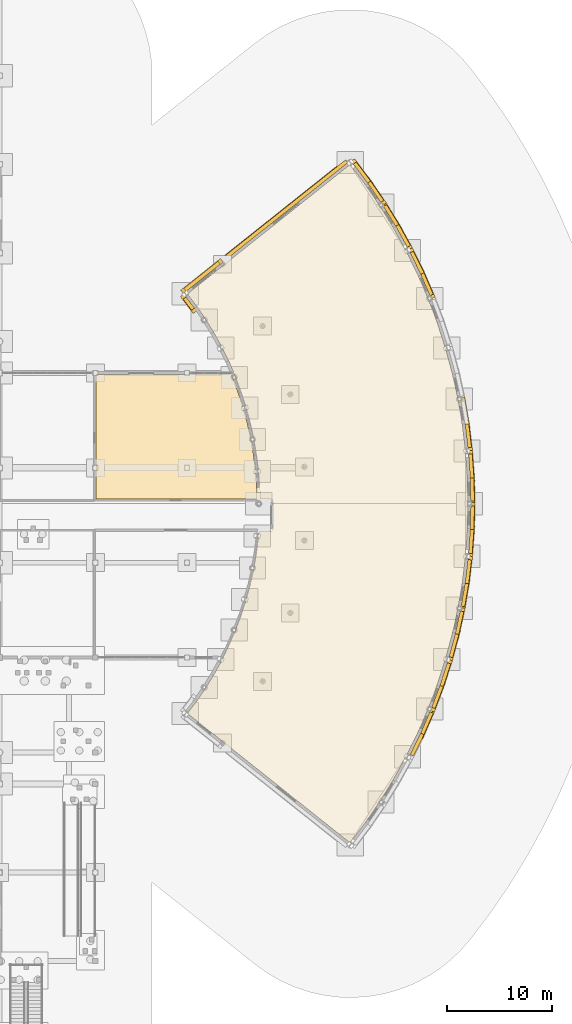
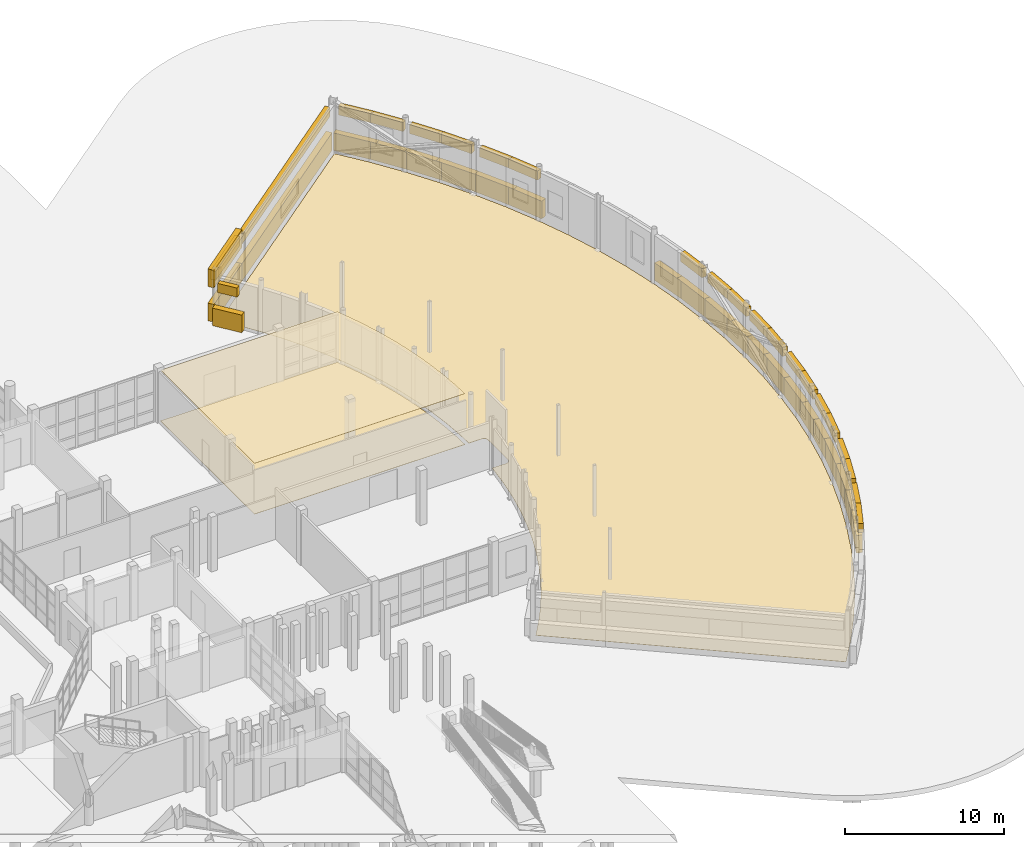
# One storey, part 86 of 88: 26 coverings, 22 shading devices.
"""IFC4 building model written with IfcOpenShell, lengths in metres."""

from ifc_helpers import new_model, si_unit, direction, frame, origin, origin_2d, place, context, subcontext, project, spatial, polyline, rectangle, outline, extrude, material, layer, layer_set, type_object, element, save


model = new_model("IFC4")

# Units and contexts
model_context = context("Model", 3, precision=1e-05, world=origin(), true_north=direction((0.0, 1.0)))
body_context = subcontext(model_context, "Body", "Model", "MODEL_VIEW")
ifc_project = project(units=[si_unit("LENGTHUNIT", "METRE"), si_unit("AREAUNIT", "SQUARE_METRE"), si_unit("VOLUMEUNIT", "CUBIC_METRE"), si_unit("PLANEANGLEUNIT", "RADIAN"), si_unit("MASSUNIT", "GRAM", prefix="KILO")], contexts=[model_context])

# Site, building, storey
site_placement = place(None, origin())
site = spatial("IfcSite", under=ifc_project, at=site_placement, CompositionType="ELEMENT")
building_placement = place(site_placement, origin())
building = spatial("IfcBuilding", under=site, at=building_placement, Name="Vanh Quang Courtyard School", CompositionType="ELEMENT")
storey_placement = place(building_placement, origin())
storey = spatial("IfcBuildingStorey", under=building, at=storey_placement, Name="L00", CompositionType="ELEMENT", Elevation=0.0)

# Coverings
ifc_material_1 = material(Name="Perforated mineral-fibre acoustic ceiling board")
ifc_layer_1 = layer(ifc_material_1, 0.02490234375)
ifc_layer_set_1 = layer_set([ifc_layer_1], Name="Perforated mineral-fibre acoustic ceiling board")
covering_type_1 = type_object("IfcCoveringType", Name="COV-CEIL-ACOUSTIC", PredefinedType="CEILING", material=ifc_layer_set_1)
covering_1_placement = place(storey_placement, frame((0.0, 0.0, 3.89501953125)))
element("IfcCovering", 1, at=covering_1_placement, inside=storey, type_object=covering_type_1, Name="Covering CV-CL1 (L00)", PredefinedType="CEILING", context=body_context, shape_type="SweptSolid", body=[
    extrude(outline(polyline([(128.56005859375, 56.449951171875), (128.55908203125, 56.449951171875), (128.55810546875, 56.4501953125), (128.55712890625, 56.450439453125), (128.55615234375, 56.45068359375), (128.555419921875, 56.451171875), (128.554443359375, 56.45166015625), (128.5537109375, 56.452392578125), (128.552978515625, 56.452880859375), (128.55224609375, 56.45361328125), (128.5517578125, 56.454345703125), (128.55126953125, 56.455322265625), (128.55078125, 56.456298828125), (128.55029296875, 56.45703125), (128.55029296875, 56.4580078125), (128.550048828125, 56.458984375), (128.550048828125, 56.4599609375), (128.550048828125, 68.260009765625), (128.550048828125, 68.260986328125), (128.55029296875, 68.261962890625), (128.55029296875, 68.262939453125), (128.55078125, 68.263916015625), (128.55126953125, 68.2646484375), (128.5517578125, 68.265625), (128.55224609375, 68.266357421875), (128.552978515625, 68.26708984375), (128.5537109375, 68.267578125), (128.554443359375, 68.268310546875), (128.555419921875, 68.268798828125), (128.55615234375, 68.269287109375), (128.55712890625, 68.26953125), (128.55810546875, 68.269775390625), (128.55908203125, 68.27001953125), (128.56005859375, 68.27001953125), (141.377685546875, 68.27001953125), (141.378662109375, 68.27001953125), (141.37939453125, 68.269775390625), (141.380615234375, 68.26953125), (141.38134765625, 68.269287109375), (141.38232421875, 68.268798828125), (141.383056640625, 68.268310546875), (141.3837890625, 68.267822265625), (141.384521484375, 68.26708984375), (141.38525390625, 68.266357421875), (141.3857421875, 68.265625), (141.386474609375, 68.264892578125), (141.38671875, 68.263916015625), (141.531982421875, 67.92822265625), (141.531982421875, 67.927734375), (142.070068359375, 66.497802734375), (142.0703125, 66.497314453125), (142.537109375, 65.04931640625), (142.537353515625, 65.048828125), (142.93798828125, 63.567138671875), (142.93798828125, 63.566650390625), (143.265380859375, 62.07421875), (143.265380859375, 62.07373046875), (143.519775390625, 60.57373046875), (143.519775390625, 60.5732421875), (143.70361328125, 59.049560546875), (143.70361328125, 59.049072265625), (143.81298828125, 57.531494140625), (143.81298828125, 57.531005859375), (143.8388671875, 56.460205078125), (143.8388671875, 56.459228515625), (143.838623046875, 56.458251953125), (143.83837890625, 56.457275390625), (143.838134765625, 56.456298828125), (143.837890625, 56.455322265625), (143.83740234375, 56.45458984375), (143.836669921875, 56.453857421875), (143.836181640625, 56.452880859375), (143.835205078125, 56.452392578125), (143.83447265625, 56.45166015625), (143.833740234375, 56.451171875), (143.832763671875, 56.45068359375), (143.831787109375, 56.450439453125), (143.830810546875, 56.4501953125), (143.829833984375, 56.449951171875), (143.828857421875, 56.449951171875), (128.56005859375, 56.449951171875)])), origin(), (0.0, 0.0, 1.0), 0.02490234375),
])
ifc_material_2 = material(Name="White precast concrete C40/50", Category="concrete")
ifc_layer_2 = layer(ifc_material_2, 0.419921875)
ifc_layer_set_2 = layer_set([ifc_layer_2], Name="White precast concrete C40/50")
covering_type_2 = type_object("IfcCoveringType", Name="COV-CLAD-WHITE", PredefinedType="CLADDING", material=ifc_layer_set_2)
covering_2_placement = place(storey_placement, frame((137.348388671875, 74.970947265625, 0.044921875), z_axis=(0.0, 0.0, 1.0), x_axis=(-0.603486360302, 0.797373320929, 0.0)))
element("IfcCovering", 2, at=covering_2_placement, inside=storey, type_object=covering_type_2, Name="Covering CL-01 (L00)", PredefinedType="CLADDING", context=body_context, shape_type="SweptSolid", body=[
    extrude(rectangle(XDim=2.00927734375, YDim=0.419921875, at=origin_2d()), origin(), (0.0, 0.0, 1.0), 1.35009765625),
])
for number, where, z_axis, x_axis, name in (
    (3, (138.614501953125, 77.591796875, 0.044921875), (0.0, 0.0, 1.0), (0.782608156852, 0.622514636638, 0.0), "Covering CL-01 (L00)"),
    (4, (138.614501953125, 77.591796875, 2.675048828125), (0.0, 0.0, 1.0), (0.782608156852, 0.622514636638, 0.0), "Covering CL-01 (L00)"),
):
    element("IfcCovering", number, at=place(storey_placement, frame(where, z_axis=z_axis, x_axis=x_axis)), inside=storey, type_object=covering_type_2, Name=name, PredefinedType="CLADDING", context=body_context, shape_type="SweptSolid", body=[
        extrude(rectangle(XDim=4.823974609375, YDim=0.419921875, at=origin_2d()), origin(), (0.0, 0.0, 1.0), 1.35009765625),
    ])
covering_3_placement = place(storey_placement, frame((146.4091796875, 83.7919921875, 0.044921875), z_axis=(0.0, 0.0, 1.0), x_axis=(0.782608156852, 0.622514636638, 0.0)))
element("IfcCovering", 5, at=covering_3_placement, inside=storey, type_object=covering_type_2, Name="Covering CL-01 (L00)", PredefinedType="CLADDING", context=body_context, shape_type="SweptSolid", body=[
    extrude(rectangle(XDim=15.82421875, YDim=0.419921875, at=origin_2d()), origin(), (0.0, 0.0, 1.0), 1.35009765625),
])
covering_4_placement = place(storey_placement, frame((153.822509765625, 87.428955078125, 0.044921875), z_axis=(0.0, 0.0, 1.0), x_axis=(0.603486360302, -0.797373320929, 0.0)))
element("IfcCovering", 6, at=covering_4_placement, inside=storey, type_object=covering_type_2, Name="Covering CL-01 (L00)", PredefinedType="CLADDING", context=body_context, shape_type="SweptSolid", body=[
    extrude(rectangle(XDim=2.94921875, YDim=0.419921875, at=origin_2d()), origin(), (0.0, 0.0, 1.0), 1.35009765625),
])
for number, where, z_axis, x_axis, name in (
    (7, (155.09521484375, 85.659423828125, 0.044921875), (0.0, 0.0, 1.0), (0.564678950066, -0.825310658693, 0.0), "Covering CL-01 (L00)"),
    (8, (156.623779296875, 83.305908203125, 0.044921875), (0.0, 0.0, 1.0), (0.524283182828, -0.851543976671, 0.0), "Covering CL-01 (L00)"),
):
    element("IfcCovering", number, at=place(storey_placement, frame(where, z_axis=z_axis, x_axis=x_axis)), inside=storey, type_object=covering_type_2, Name=name, PredefinedType="CLADDING", context=body_context, shape_type="SweptSolid", body=[
        extrude(rectangle(XDim=3.019775390625, YDim=0.419921875, at=origin_2d()), origin(), (0.0, 0.0, 1.0), 1.35009765625),
    ])
covering_5_placement = place(storey_placement, frame((157.722412109375, 81.42333984375, 0.044921875), z_axis=(0.0, 0.0, 1.0), x_axis=(0.482976759048, -0.875633171036, 0.0)))
element("IfcCovering", 9, at=covering_5_placement, inside=storey, type_object=covering_type_2, Name="Covering CL-01 (L00)", PredefinedType="CLADDING", context=body_context, shape_type="SweptSolid", body=[
    extrude(rectangle(XDim=2.94921875, YDim=0.419921875, at=origin_2d()), origin(), (0.0, 0.0, 1.0), 1.35009765625),
])
covering_6_placement = place(storey_placement, frame((159.05078125, 78.871337890625, 0.044921875), z_axis=(0.0, 0.0, 1.0), x_axis=(0.440252613806, -0.897873953312, 0.0)))
element("IfcCovering", 10, at=covering_6_placement, inside=storey, type_object=covering_type_2, Name="Covering CL-01 (L00)", PredefinedType="CLADDING", context=body_context, shape_type="SweptSolid", body=[
    extrude(rectangle(XDim=2.948974609375, YDim=0.419921875, at=origin_2d()), origin(), (0.0, 0.0, 1.0), 1.35009765625),
])
covering_7_placement = place(storey_placement, frame((159.962646484375, 76.8916015625, 0.044921875), z_axis=(0.0, 0.0, 1.0), x_axis=(0.396827509647, -0.917893200535, 0.0)))
element("IfcCovering", 11, at=covering_7_placement, inside=storey, type_object=covering_type_2, Name="Covering CL-01 (L00)", PredefinedType="CLADDING", context=body_context, shape_type="SweptSolid", body=[
    extrude(rectangle(XDim=3.019775390625, YDim=0.419921875, at=origin_2d()), origin(), (0.0, 0.0, 1.0), 1.35009765625),
])
covering_8_placement = place(storey_placement, frame((163.603515625, 64.601318359375, 0.044921875), z_axis=(0.0, 0.0, 1.0), x_axis=(0.16728499015, -0.985908582005, 0.0)))
element("IfcCovering", 12, at=covering_8_placement, inside=storey, type_object=covering_type_2, Name="Covering CL-01 (L00)", PredefinedType="CLADDING", context=body_context, shape_type="SweptSolid", body=[
    extrude(rectangle(XDim=3.02001953125, YDim=0.419921875, at=origin_2d()), origin(), (0.0, 0.0, 1.0), 1.35009765625),
])
for number, where, z_axis, x_axis, name in (
    (13, (163.9169921875, 62.444091796875, 0.044921875), (0.0, 0.0, 1.0), (0.119617015862, -0.992820109343, 0.0), "Covering CL-01 (L00)"),
    (14, (164.192626953125, 59.580322265625, 0.044921875), (0.0, 0.0, 1.0), (0.071845612485, -0.997415764848, 0.0), "Covering CL-01 (L00)"),
):
    element("IfcCovering", number, at=place(storey_placement, frame(where, z_axis=z_axis, x_axis=x_axis)), inside=storey, type_object=covering_type_2, Name=name, PredefinedType="CLADDING", context=body_context, shape_type="SweptSolid", body=[
        extrude(rectangle(XDim=2.948974609375, YDim=0.419921875, at=origin_2d()), origin(), (0.0, 0.0, 1.0), 1.35009765625),
    ])
for number, where, z_axis, x_axis, name in (
    (15, (164.29638671875, 57.4033203125, 0.044921875), (0.0, 0.0, 1.0), (0.024083215021, -0.999709957315, 0.0), "Covering CL-01 (L00)"),
    (16, (164.29638671875, 54.5966796875, 0.044921875), (0.0, 0.0, 1.0), (-0.024083215021, -0.999709957315, 0.0), "Covering CL-01 (L00)"),
):
    element("IfcCovering", number, at=place(storey_placement, frame(where, z_axis=z_axis, x_axis=x_axis)), inside=storey, type_object=covering_type_2, Name=name, PredefinedType="CLADDING", context=body_context, shape_type="SweptSolid", body=[
        extrude(rectangle(XDim=3.02001953125, YDim=0.419921875, at=origin_2d()), origin(), (0.0, 0.0, 1.0), 1.35009765625),
    ])
for number, where, z_axis, x_axis, name in (
    (17, (164.192626953125, 52.419677734375, 0.044921875), (0.0, 0.0, 1.0), (-0.071845612485, -0.997415764848, 0.0), "Covering CL-01 (L00)"),
    (18, (163.9169921875, 49.555908203125, 0.044921875), (0.0, 0.0, 1.0), (-0.119617015862, -0.992820109343, 0.0), "Covering CL-01 (L00)"),
):
    element("IfcCovering", number, at=place(storey_placement, frame(where, z_axis=z_axis, x_axis=x_axis)), inside=storey, type_object=covering_type_2, Name=name, PredefinedType="CLADDING", context=body_context, shape_type="SweptSolid", body=[
        extrude(rectangle(XDim=2.948974609375, YDim=0.419921875, at=origin_2d()), origin(), (0.0, 0.0, 1.0), 1.35009765625),
    ])
covering_9_placement = place(storey_placement, frame((163.603515625, 47.398681640625, 0.044921875), z_axis=(0.0, 0.0, 1.0), x_axis=(-0.16728499015, -0.985908582005, 0.0)))
element("IfcCovering", 19, at=covering_9_placement, inside=storey, type_object=covering_type_2, Name="Covering CL-01 (L00)", PredefinedType="CLADDING", context=body_context, shape_type="SweptSolid", body=[
    extrude(rectangle(XDim=3.02001953125, YDim=0.419921875, at=origin_2d()), origin(), (0.0, 0.0, 1.0), 1.35009765625),
])
covering_10_placement = place(storey_placement, frame((163.06787109375, 44.643798828125, 0.044921875), z_axis=(0.0, 0.0, 1.0), x_axis=(-0.214223913346, -0.976784579603, 0.0)))
element("IfcCovering", 20, at=covering_10_placement, inside=storey, type_object=covering_type_2, Name="Covering CL-01 (L00)", PredefinedType="CLADDING", context=body_context, shape_type="SweptSolid", body=[
    extrude(rectangle(XDim=3.019775390625, YDim=0.419921875, at=origin_2d()), origin(), (0.0, 0.0, 1.0), 1.35009765625),
])
for number, where, z_axis, x_axis, name in (
    (21, (162.550537109375, 42.526611328125, 0.044921875), (0.0, 0.0, 1.0), (-0.261009993198, -0.965336098699, 0.0), "Covering CL-01 (L00)"),
    (22, (161.7333984375, 39.76806640625, 0.044921875), (0.0, 0.0, 1.0), (-0.307024429971, -0.951701633602, 0.0), "Covering CL-01 (L00)"),
):
    element("IfcCovering", number, at=place(storey_placement, frame(where, z_axis=z_axis, x_axis=x_axis)), inside=storey, type_object=covering_type_2, Name=name, PredefinedType="CLADDING", context=body_context, shape_type="SweptSolid", body=[
        extrude(rectangle(XDim=2.948974609375, YDim=0.419921875, at=origin_2d()), origin(), (0.0, 0.0, 1.0), 1.35009765625),
    ])
for number, where, z_axis, x_axis, name in (
    (23, (161.01416015625, 37.71044921875, 0.044921875), (0.0, 0.0, 1.0), (-0.352168373381, -0.935936662809, 0.0), "Covering CL-01 (L00)"),
    (24, (159.962646484375, 35.1083984375, 0.044921875), (0.0, 0.0, 1.0), (-0.396827509647, -0.917893200535, 0.0), "Covering CL-01 (L00)"),
):
    element("IfcCovering", number, at=place(storey_placement, frame(where, z_axis=z_axis, x_axis=x_axis)), inside=storey, type_object=covering_type_2, Name=name, PredefinedType="CLADDING", context=body_context, shape_type="SweptSolid", body=[
        extrude(rectangle(XDim=3.019775390625, YDim=0.419921875, at=origin_2d()), origin(), (0.0, 0.0, 1.0), 1.35009765625),
    ])
ifc_material_3 = material(Name="Polished cementitious terrazzo tile", Category="concrete")
ifc_layer_3 = layer(ifc_material_3, 0.02001953125)
ifc_layer_set_3 = layer_set([ifc_layer_3], Name="Polished cementitious terrazzo tile")
covering_type_3 = type_object("IfcCoveringType", Name="COV-FLR-TERRAZZO", PredefinedType="FLOORING", material=ifc_layer_set_3)
covering_11_placement = place(storey_placement, origin())
element("IfcCovering", 25, at=covering_11_placement, inside=storey, type_object=covering_type_3, Name="Covering CV-FL1 (L00)", PredefinedType="FLOORING", context=body_context, shape_type="SweptSolid", body=[
    extrude(outline(polyline([(139.756591796875, 72.183349609375), (138.944580078125, 73.501953125), (138.077880859375, 74.769287109375), (137.2294921875, 75.889892578125), (137.22900390625, 75.890869140625), (137.228515625, 75.8916015625), (137.228271484375, 75.892578125), (137.227783203125, 75.893310546875), (137.227783203125, 75.894287109375), (137.2275390625, 75.895263671875), (137.2275390625, 75.896240234375), (137.227783203125, 75.897216796875), (137.227783203125, 75.898193359375), (137.22802734375, 75.899169921875), (137.228515625, 75.89990234375), (137.22900390625, 75.90087890625), (137.2294921875, 75.901611328125), (137.22998046875, 75.902587890625), (137.230712890625, 75.9033203125), (137.2314453125, 75.90380859375), (152.664306640625, 88.1796875), (152.6650390625, 88.180419921875), (152.666015625, 88.180908203125), (152.6669921875, 88.181396484375), (152.667724609375, 88.181640625), (152.668701171875, 88.181884765625), (152.669921875, 88.181884765625), (152.6708984375, 88.181884765625), (152.671875, 88.181884765625), (152.672607421875, 88.181640625), (152.673583984375, 88.181396484375), (152.674560546875, 88.18115234375), (152.675537109375, 88.1806640625), (152.67626953125, 88.18017578125), (152.677001953125, 88.179443359375), (152.677734375, 88.1787109375), (152.678466796875, 88.177978515625), (154.09619140625, 86.30517578125), (154.096435546875, 86.3046875), (155.501708984375, 84.25048828125), (155.501953125, 84.25), (156.806884765625, 82.130859375), (156.80712890625, 82.130615234375), (158.00927734375, 79.950927734375), (158.009521484375, 79.95068359375), (159.105224609375, 77.716064453125), (159.10546875, 77.7158203125), (160.093017578125, 75.430908203125), (160.09326171875, 75.430419921875), (160.9697265625, 73.101318359375), (160.969970703125, 73.100830078125), (161.73388671875, 70.732177734375), (161.73388671875, 70.731689453125), (162.383544921875, 68.3291015625), (162.383544921875, 68.32861328125), (162.9169921875, 65.8974609375), (162.9169921875, 65.897216796875), (163.333251953125, 63.443115234375), (163.333251953125, 63.442626953125), (163.631103515625, 60.9716796875), (163.631103515625, 60.97119140625), (163.810302734375, 58.489013671875), (163.810302734375, 58.48828125), (163.8701171875, 56.000244140625), (163.8701171875, 55.999755859375), (163.810302734375, 53.51171875), (163.810302734375, 53.510986328125), (163.631103515625, 51.02880859375), (163.631103515625, 51.0283203125), (163.333251953125, 48.557373046875), (163.333251953125, 48.556884765625), (162.9169921875, 46.102783203125), (162.9169921875, 46.1025390625), (162.383544921875, 43.67138671875), (162.383544921875, 43.6708984375), (161.73388671875, 41.268310546875), (161.73388671875, 41.267822265625), (160.969970703125, 38.899169921875), (160.9697265625, 38.898681640625), (160.09326171875, 36.569580078125), (160.093017578125, 36.569091796875), (159.10546875, 34.2841796875), (159.105224609375, 34.283935546875), (158.009521484375, 32.04931640625), (158.00927734375, 32.049072265625), (156.80712890625, 29.869384765625), (156.806884765625, 29.869140625), (155.501953125, 27.75), (155.501708984375, 27.74951171875), (154.096435546875, 25.6953125), (154.09619140625, 25.69482421875), (152.678466796875, 23.822021484375), (152.677734375, 23.8212890625), (152.677001953125, 23.820556640625), (152.67626953125, 23.81982421875), (152.675537109375, 23.8193359375), (152.674560546875, 23.81884765625), (152.673583984375, 23.818603515625), (152.672607421875, 23.818359375), (152.671875, 23.818115234375), (152.6708984375, 23.818115234375), (152.669921875, 23.818115234375), (152.668701171875, 23.818115234375), (152.667724609375, 23.818359375), (152.6669921875, 23.818603515625), (152.666015625, 23.819091796875), (152.6650390625, 23.819580078125), (152.664306640625, 23.8203125), (137.2314453125, 36.09619140625), (137.230712890625, 36.0966796875), (137.22998046875, 36.097412109375), (137.2294921875, 36.098388671875), (137.22900390625, 36.09912109375), (137.228515625, 36.10009765625), (137.22802734375, 36.100830078125), (137.227783203125, 36.101806640625), (137.227783203125, 36.102783203125), (137.2275390625, 36.103759765625), (137.2275390625, 36.104736328125), (137.227783203125, 36.105712890625), (137.227783203125, 36.106689453125), (137.228271484375, 36.107421875), (137.228515625, 36.1083984375), (137.22900390625, 36.109130859375), (137.2294921875, 36.110107421875), (138.077880859375, 37.230712890625), (138.944580078125, 38.498046875), (139.756591796875, 39.816650390625), (140.501220703125, 41.1669921875), (141.17724609375, 42.54541015625), (141.79150390625, 43.967041015625), (142.334716796875, 45.41015625), (142.805908203125, 46.871337890625), (143.2099609375, 48.366455078125), (143.540283203125, 49.87255859375), (143.796875, 51.38623046875), (143.981689453125, 52.9169921875), (144.012451171875, 53.3408203125), (144.012451171875, 53.341796875), (144.0126953125, 53.3427734375), (144.01318359375, 53.343505859375), (144.013427734375, 53.344482421875), (144.013916015625, 53.345458984375), (144.0146484375, 53.34619140625), (144.01513671875, 53.346923828125), (144.01611328125, 53.34765625), (144.016845703125, 53.348388671875), (144.017578125, 53.348876953125), (144.0185546875, 53.34912109375), (144.019287109375, 53.349609375), (144.0205078125, 53.349853515625), (144.021484375, 53.35009765625), (144.0224609375, 53.35009765625), (145.059326171875, 53.35009765625), (145.122802734375, 53.357177734375), (145.202392578125, 53.3876953125), (145.27978515625, 53.451171875), (145.3251953125, 53.52294921875), (145.34912109375, 53.61865234375), (145.35009765625, 56.159423828125), (145.343017578125, 56.22314453125), (145.3251953125, 56.27685546875), (145.2880859375, 56.338623046875), (145.23876953125, 56.38818359375), (145.177001953125, 56.42529296875), (145.1103515625, 56.4453125), (144.12890625, 56.449951171875), (144.1279296875, 56.4501953125), (144.126953125, 56.4501953125), (144.126220703125, 56.450439453125), (144.125244140625, 56.45068359375), (144.124267578125, 56.451171875), (144.12353515625, 56.45166015625), (144.122802734375, 56.4521484375), (144.1220703125, 56.452880859375), (144.121337890625, 56.45361328125), (144.120849609375, 56.454345703125), (144.120361328125, 56.455078125), (144.119873046875, 56.4560546875), (144.119384765625, 56.456787109375), (144.119140625, 56.457763671875), (144.119140625, 56.458740234375), (144.118896484375, 56.459716796875), (144.0927734375, 57.544921875), (143.982421875, 59.076171875), (143.796875, 60.61376953125), (143.540283203125, 62.12744140625), (143.2099609375, 63.633544921875), (142.805908203125, 65.128662109375), (142.334716796875, 66.58984375), (141.79150390625, 68.032958984375), (141.179931640625, 69.448486328125), (140.501220703125, 70.8330078125), (139.756591796875, 72.183349609375)])), origin(), (0.0, 0.0, 1.0), 0.02001953125),
])
covering_12_placement = place(storey_placement, origin())
element("IfcCovering", 26, at=covering_12_placement, inside=storey, type_object=covering_type_3, Name="Covering CV-FL1 (L00)", PredefinedType="FLOORING", context=body_context, shape_type="SweptSolid", body=[
    extrude(outline(polyline([(128.56005859375, 56.449951171875), (128.55908203125, 56.449951171875), (128.55810546875, 56.4501953125), (128.55712890625, 56.450439453125), (128.55615234375, 56.45068359375), (128.555419921875, 56.451171875), (128.554443359375, 56.45166015625), (128.5537109375, 56.452392578125), (128.552978515625, 56.452880859375), (128.55224609375, 56.45361328125), (128.5517578125, 56.454345703125), (128.55126953125, 56.455322265625), (128.55078125, 56.456298828125), (128.55029296875, 56.45703125), (128.55029296875, 56.4580078125), (128.550048828125, 56.458984375), (128.550048828125, 56.4599609375), (128.550048828125, 68.260009765625), (128.550048828125, 68.260986328125), (128.55029296875, 68.261962890625), (128.55029296875, 68.262939453125), (128.55078125, 68.263916015625), (128.55126953125, 68.2646484375), (128.5517578125, 68.265625), (128.55224609375, 68.266357421875), (128.552978515625, 68.26708984375), (128.5537109375, 68.267578125), (128.554443359375, 68.268310546875), (128.555419921875, 68.268798828125), (128.55615234375, 68.269287109375), (128.55712890625, 68.26953125), (128.55810546875, 68.269775390625), (128.55908203125, 68.27001953125), (128.56005859375, 68.27001953125), (141.377685546875, 68.27001953125), (141.378662109375, 68.27001953125), (141.37939453125, 68.269775390625), (141.380615234375, 68.26953125), (141.38134765625, 68.269287109375), (141.38232421875, 68.268798828125), (141.383056640625, 68.268310546875), (141.3837890625, 68.267822265625), (141.384521484375, 68.26708984375), (141.38525390625, 68.266357421875), (141.3857421875, 68.265625), (141.386474609375, 68.264892578125), (141.38671875, 68.263916015625), (141.531982421875, 67.92822265625), (141.531982421875, 67.927734375), (142.070068359375, 66.497802734375), (142.0703125, 66.497314453125), (142.537109375, 65.04931640625), (142.537353515625, 65.048828125), (142.93798828125, 63.567138671875), (142.93798828125, 63.566650390625), (143.265380859375, 62.07421875), (143.265380859375, 62.07373046875), (143.519775390625, 60.57373046875), (143.519775390625, 60.5732421875), (143.70361328125, 59.049560546875), (143.70361328125, 59.049072265625), (143.81298828125, 57.531494140625), (143.81298828125, 57.531005859375), (143.8388671875, 56.460205078125), (143.8388671875, 56.459228515625), (143.838623046875, 56.458251953125), (143.83837890625, 56.457275390625), (143.838134765625, 56.456298828125), (143.837890625, 56.455322265625), (143.83740234375, 56.45458984375), (143.836669921875, 56.453857421875), (143.836181640625, 56.452880859375), (143.835205078125, 56.452392578125), (143.83447265625, 56.45166015625), (143.833740234375, 56.451171875), (143.832763671875, 56.45068359375), (143.831787109375, 56.450439453125), (143.830810546875, 56.4501953125), (143.829833984375, 56.449951171875), (143.828857421875, 56.449951171875), (128.56005859375, 56.449951171875)])), origin(), (0.0, 0.0, 1.0), 0.02001953125),
])

# Shading devices
ifc_material_4 = material(Name="Anodised aluminium storm louvre", Category="aluminium")
shading_device_type = type_object("IfcShadingDeviceType", Name="SHD-LOUVRE-STORM", PredefinedType="JALOUSIE", material=ifc_material_4)
shading_device_1_placement = place(storey_placement, frame((137.368408203125, 74.986083984375, 2.64013671875), z_axis=(0.0, 0.0, 1.0), x_axis=(-0.603486360302, 0.797373320929, 0.0)))
element("IfcShadingDevice", 27, at=shading_device_1_placement, inside=storey, type_object=shading_device_type, Name="Solar Shading SH-01 (L00)", PredefinedType="JALOUSIE", context=body_context, shape_type="SweptSolid", body=[
    extrude(rectangle(XDim=1.329345703125, YDim=0.35009765625, at=origin_2d()), origin(), (0.0, 0.0, 1.0), 0.699951171875),
])
shading_device_2_placement = place(storey_placement, frame((138.630126953125, 77.572265625, 3.02001953125), z_axis=(0.0, 0.0, 1.0), x_axis=(0.782608156852, 0.622514636638, 0.0)))
element("IfcShadingDevice", 28, at=shading_device_2_placement, inside=storey, type_object=shading_device_type, Name="Solar Shading SH-01 (L00)", PredefinedType="JALOUSIE", context=body_context, shape_type="SweptSolid", body=[
    extrude(rectangle(XDim=4.14404296875, YDim=0.35009765625, at=origin_2d()), origin(), (0.0, 0.0, 1.0), 0.699951171875),
])
shading_device_3_placement = place(storey_placement, frame((146.4248046875, 83.7724609375, 2.85986328125), z_axis=(0.0, 0.0, 1.0), x_axis=(0.782608156852, 0.622514636638, 0.0)))
element("IfcShadingDevice", 29, at=shading_device_3_placement, inside=storey, type_object=shading_device_type, Name="Solar Shading SH-01 (L00)", PredefinedType="JALOUSIE", context=body_context, shape_type="SweptSolid", body=[
    extrude(rectangle(XDim=15.14404296875, YDim=0.35009765625, at=origin_2d()), origin(), (0.0, 0.0, 1.0), 0.699951171875),
])
shading_device_4_placement = place(storey_placement, frame((153.802490234375, 87.413818359375, 2.85986328125), z_axis=(0.0, 0.0, 1.0), x_axis=(0.603486360302, -0.797373320929, 0.0)))
element("IfcShadingDevice", 30, at=shading_device_4_placement, inside=storey, type_object=shading_device_type, Name="Solar Shading SH-01 (L00)", PredefinedType="JALOUSIE", context=body_context, shape_type="SweptSolid", body=[
    extrude(rectangle(XDim=2.26904296875, YDim=0.35009765625, at=origin_2d()), origin(), (0.0, 0.0, 1.0), 0.699951171875),
])
shading_device_5_placement = place(storey_placement, frame((155.074462890625, 85.6455078125, 2.85986328125), z_axis=(0.0, 0.0, 1.0), x_axis=(0.564678950066, -0.825310658693, 0.0)))
element("IfcShadingDevice", 31, at=shading_device_5_placement, inside=storey, type_object=shading_device_type, Name="Solar Shading SH-01 (L00)", PredefinedType="JALOUSIE", context=body_context, shape_type="SweptSolid", body=[
    extrude(rectangle(XDim=2.33984375, YDim=0.35009765625, at=origin_2d()), origin(), (0.0, 0.0, 1.0), 0.699951171875),
])
shading_device_6_placement = place(storey_placement, frame((156.602294921875, 83.292724609375, 2.85986328125), z_axis=(0.0, 0.0, 1.0), x_axis=(0.524283182828, -0.851543976671, 0.0)))
element("IfcShadingDevice", 32, at=shading_device_6_placement, inside=storey, type_object=shading_device_type, Name="Solar Shading SH-01 (L00)", PredefinedType="JALOUSIE", context=body_context, shape_type="SweptSolid", body=[
    extrude(rectangle(XDim=2.339599609375, YDim=0.35009765625, at=origin_2d()), origin(), (0.0, 0.0, 1.0), 0.699951171875),
])
for number, where, z_axis, x_axis, name in (
    (33, (157.70068359375, 81.411376953125, 2.85986328125), (0.0, 0.0, 1.0), (0.482976759048, -0.875633171036, 0.0), "Solar Shading SH-01 (L00)"),
    (34, (159.028564453125, 78.8603515625, 2.85986328125), (0.0, 0.0, 1.0), (0.440252613806, -0.897873953312, 0.0), "Solar Shading SH-01 (L00)"),
):
    element("IfcShadingDevice", number, at=place(storey_placement, frame(where, z_axis=z_axis, x_axis=x_axis)), inside=storey, type_object=shading_device_type, Name=name, PredefinedType="JALOUSIE", context=body_context, shape_type="SweptSolid", body=[
        extrude(rectangle(XDim=2.26904296875, YDim=0.35009765625, at=origin_2d()), origin(), (0.0, 0.0, 1.0), 0.699951171875),
    ])
shading_device_7_placement = place(storey_placement, frame((159.939697265625, 76.881591796875, 2.85986328125), z_axis=(0.0, 0.0, 1.0), x_axis=(0.396827509647, -0.917893200535, 0.0)))
element("IfcShadingDevice", 35, at=shading_device_7_placement, inside=storey, type_object=shading_device_type, Name="Solar Shading SH-01 (L00)", PredefinedType="JALOUSIE", context=body_context, shape_type="SweptSolid", body=[
    extrude(rectangle(XDim=2.33984375, YDim=0.35009765625, at=origin_2d()), origin(), (0.0, 0.0, 1.0), 0.699951171875),
])
for number, where, z_axis, x_axis, name in (
    (36, (163.89208984375, 62.441162109375, 2.85986328125), (0.0, 0.0, 1.0), (0.119617015862, -0.992820109343, 0.0), "Solar Shading SH-01 (L00)"),
    (37, (164.167724609375, 59.57861328125, 2.85986328125), (0.0, 0.0, 1.0), (0.071845612485, -0.997415764848, 0.0), "Solar Shading SH-01 (L00)"),
):
    element("IfcShadingDevice", number, at=place(storey_placement, frame(where, z_axis=z_axis, x_axis=x_axis)), inside=storey, type_object=shading_device_type, Name=name, PredefinedType="JALOUSIE", context=body_context, shape_type="SweptSolid", body=[
        extrude(rectangle(XDim=2.26904296875, YDim=0.35009765625, at=origin_2d()), origin(), (0.0, 0.0, 1.0), 0.699951171875),
    ])
for number, where, z_axis, x_axis, name in (
    (38, (164.271484375, 57.402587890625, 2.85986328125), (0.0, 0.0, 1.0), (0.024083215021, -0.999709957315, 0.0), "Solar Shading SH-01 (L00)"),
    (39, (164.271484375, 54.597412109375, 2.85986328125), (0.0, 0.0, 1.0), (-0.024083215021, -0.999709957315, 0.0), "Solar Shading SH-01 (L00)"),
):
    element("IfcShadingDevice", number, at=place(storey_placement, frame(where, z_axis=z_axis, x_axis=x_axis)), inside=storey, type_object=shading_device_type, Name=name, PredefinedType="JALOUSIE", context=body_context, shape_type="SweptSolid", body=[
        extrude(rectangle(XDim=2.33984375, YDim=0.35009765625, at=origin_2d()), origin(), (0.0, 0.0, 1.0), 0.699951171875),
    ])
for number, where, z_axis, x_axis, name in (
    (40, (164.167724609375, 52.42138671875, 2.85986328125), (0.0, 0.0, 1.0), (-0.071845612485, -0.997415764848, 0.0), "Solar Shading SH-01 (L00)"),
    (41, (163.89208984375, 49.558837890625, 2.85986328125), (0.0, 0.0, 1.0), (-0.119617015862, -0.992820109343, 0.0), "Solar Shading SH-01 (L00)"),
):
    element("IfcShadingDevice", number, at=place(storey_placement, frame(where, z_axis=z_axis, x_axis=x_axis)), inside=storey, type_object=shading_device_type, Name=name, PredefinedType="JALOUSIE", context=body_context, shape_type="SweptSolid", body=[
        extrude(rectangle(XDim=2.26904296875, YDim=0.35009765625, at=origin_2d()), origin(), (0.0, 0.0, 1.0), 0.699951171875),
    ])
for number, where, z_axis, x_axis, name in (
    (42, (163.57861328125, 47.403076171875, 2.85986328125), (0.0, 0.0, 1.0), (-0.16728499015, -0.985908582005, 0.0), "Solar Shading SH-01 (L00)"),
    (43, (163.04345703125, 44.6494140625, 2.85986328125), (0.0, 0.0, 1.0), (-0.214223913346, -0.976784579603, 0.0), "Solar Shading SH-01 (L00)"),
):
    element("IfcShadingDevice", number, at=place(storey_placement, frame(where, z_axis=z_axis, x_axis=x_axis)), inside=storey, type_object=shading_device_type, Name=name, PredefinedType="JALOUSIE", context=body_context, shape_type="SweptSolid", body=[
        extrude(rectangle(XDim=2.33984375, YDim=0.35009765625, at=origin_2d()), origin(), (0.0, 0.0, 1.0), 0.699951171875),
    ])
for number, where, z_axis, x_axis, name in (
    (44, (162.5263671875, 42.533203125, 2.85986328125), (0.0, 0.0, 1.0), (-0.261009993198, -0.965336098699, 0.0), "Solar Shading SH-01 (L00)"),
    (45, (161.709716796875, 39.775634765625, 2.85986328125), (0.0, 0.0, 1.0), (-0.307024429971, -0.951701633602, 0.0), "Solar Shading SH-01 (L00)"),
):
    element("IfcShadingDevice", number, at=place(storey_placement, frame(where, z_axis=z_axis, x_axis=x_axis)), inside=storey, type_object=shading_device_type, Name=name, PredefinedType="JALOUSIE", context=body_context, shape_type="SweptSolid", body=[
        extrude(rectangle(XDim=2.26904296875, YDim=0.35009765625, at=origin_2d()), origin(), (0.0, 0.0, 1.0), 0.699951171875),
    ])
for number, where, z_axis, x_axis, name in (
    (46, (160.99072265625, 37.71923828125, 2.85986328125), (0.0, 0.0, 1.0), (-0.352168373381, -0.935936662809, 0.0), "Solar Shading SH-01 (L00)"),
    (47, (159.939697265625, 35.118408203125, 2.85986328125), (0.0, 0.0, 1.0), (-0.396827509647, -0.917893200535, 0.0), "Solar Shading SH-01 (L00)"),
):
    element("IfcShadingDevice", number, at=place(storey_placement, frame(where, z_axis=z_axis, x_axis=x_axis)), inside=storey, type_object=shading_device_type, Name=name, PredefinedType="JALOUSIE", context=body_context, shape_type="SweptSolid", body=[
        extrude(rectangle(XDim=2.33984375, YDim=0.35009765625, at=origin_2d()), origin(), (0.0, 0.0, 1.0), 0.699951171875),
    ])
shading_device_8_placement = place(storey_placement, frame((159.028564453125, 33.1396484375, 2.85986328125), z_axis=(0.0, 0.0, 1.0), x_axis=(-0.440252613806, -0.897873953312, 0.0)))
element("IfcShadingDevice", 48, at=shading_device_8_placement, inside=storey, type_object=shading_device_type, Name="Solar Shading SH-01 (L00)", PredefinedType="JALOUSIE", context=body_context, shape_type="SweptSolid", body=[
    extrude(rectangle(XDim=2.26904296875, YDim=0.35009765625, at=origin_2d()), origin(), (0.0, 0.0, 1.0), 0.699951171875),
])

save(model, "model.ifc")
